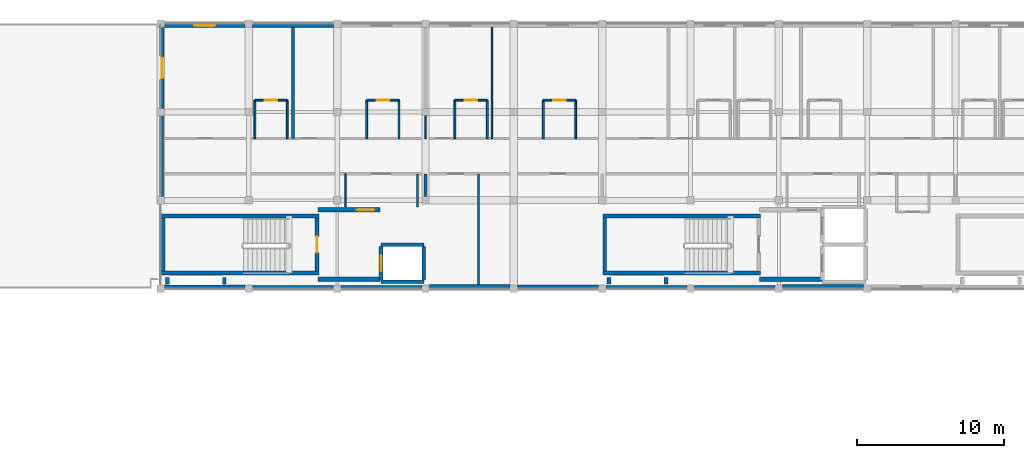
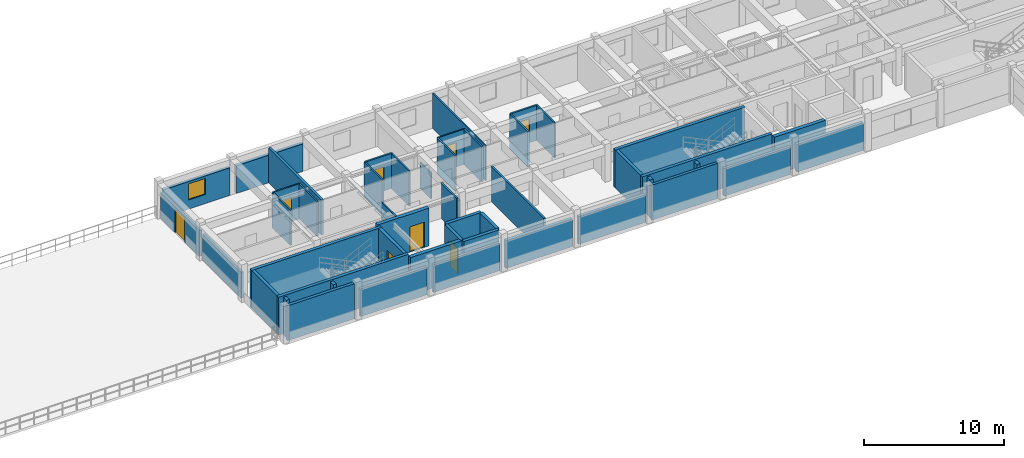
# One storey, part 7 of 15: 49 walls, 8 doors, 1 window, 9 openings.
"""IFC4 building model written with IfcOpenShell, lengths in metres."""

from ifc_helpers import new_model, si_unit, direction, frame, frame_2d, origin, place, context, subcontext, project, spatial, rectangle, extrude, material, layer, layer_set, type_object, element, fill, save


model = new_model("IFC4")

# Units and contexts
model_context = context("Model", 3, precision=1e-05, world=origin(), true_north=direction((0.0, 1.0)))
body_context = subcontext(model_context, "Body", "Model", "MODEL_VIEW")
ifc_project = project(units=[si_unit("LENGTHUNIT", "METRE"), si_unit("AREAUNIT", "SQUARE_METRE"), si_unit("VOLUMEUNIT", "CUBIC_METRE"), si_unit("PLANEANGLEUNIT", "RADIAN"), si_unit("MASSUNIT", "GRAM", prefix="KILO"), si_unit("THERMODYNAMICTEMPERATUREUNIT", "KELVIN"), si_unit("POWERUNIT", "WATT")], contexts=[model_context])

# Site, building, storey
site_placement = place(None, origin())
site = spatial("IfcSite", under=ifc_project, at=site_placement, CompositionType="ELEMENT")
building_placement = place(site_placement, origin())
building = spatial("IfcBuilding", under=site, at=building_placement, Name="Phaisarnlok Congress Hotel", CompositionType="ELEMENT")
storey_placement = place(building_placement, frame((0.0, 0.0, 38.10009765625)))
storey = spatial("IfcBuildingStorey", under=building, at=storey_placement, Name="L09", CompositionType="ELEMENT", Elevation=38.10009765625)

# Walls
ifc_material_1 = material(Name="Concrete C40/50", Category="concrete")
ifc_layer_1 = layer(ifc_material_1, 0.2099609375, Name="Concrete C40/50")
ifc_layer_set_1 = layer_set([ifc_layer_1], Name="Concrete C40/50")
wall_type_1 = type_object("IfcWallType", Name="WL-EXT-210", PredefinedType="SOLIDWALL", material=ifc_layer_set_1)
wall_1_placement = place(storey_placement, frame((102.10498046875, 119.7451171875, 0.0), z_axis=(0.0, 0.0, 1.0), x_axis=(0.0, -1.0, 0.0)))
element("IfcWall", 1, at=wall_1_placement, inside=storey, type_object=wall_type_1, Name="Exterior wall EW-07 (L09)", PredefinedType="SOLIDWALL", context=body_context, shape_type="SweptSolid", body=[
    extrude(rectangle(XDim=5.490234375, YDim=0.2099609375, at=frame_2d((2.7451171875, 0.0))), origin(), (0.0, 0.0, 1.0), 2.260009765625),
])
for number, where, z_axis, x_axis, name in (
    (2, (114.2548828125, 108.10498046875, 0.0), (0.0, 0.0, 1.0), (1.0, 0.0, 0.0), "Exterior wall EW-07 (L09)"),
    (3, (138.2548828125, 108.10498046875, 0.0), (0.0, 0.0, 1.0), (1.0, 0.0, 0.0), "Exterior wall EW-07 (L09)"),
):
    element("IfcWall", number, at=place(storey_placement, frame(where, z_axis=z_axis, x_axis=x_axis)), inside=storey, type_object=wall_type_1, Name=name, PredefinedType="SOLIDWALL", context=body_context, shape_type="SweptSolid", body=[
        extrude(rectangle(XDim=5.490234375, YDim=0.2099609375, at=frame_2d((2.7451171875, 0.0))), origin(), (0.0, 0.0, 1.0), 2.409912109375),
    ])

# Wall, opening, door
ifc_layer_2 = layer(ifc_material_1, 0.22998046875, Name="Concrete C40/50")
ifc_layer_set_2 = layer_set([ifc_layer_2], Name="Concrete C40/50")
wall_type_2 = type_object("IfcWallType", Name="WL-EXT-230", PredefinedType="SOLIDWALL", material=ifc_layer_set_2)
wall_2_placement = place(storey_placement, frame((102.114990234375, 125.7451171875, 0.0), z_axis=(0.0, 0.0, 1.0), x_axis=(0.0, -1.0, 0.0)))
wall_2 = element("IfcWall", 4, at=wall_2_placement, inside=storey, type_object=wall_type_2, Name="Exterior wall EW-06 (L09)", PredefinedType="SOLIDWALL", context=body_context, shape_type="SweptSolid", body=[
    extrude(rectangle(XDim=5.490234375, YDim=0.22998046875, at=frame_2d((2.7451171875, 0.0))), origin(), (0.0, 0.0, 1.0), 2.260009765625),
])
opening_1_placement = place(wall_2_placement, frame((2.044921875, 0.0, 0.0)))
opening_1 = element("IfcOpeningElement", 5, at=opening_1_placement, cuts=wall_2, Name="Opening TD-09", PredefinedType="OPENING", context=body_context, shape_type="SweptSolid", body=[
    extrude(rectangle(XDim=1.39990234375, YDim=2.10009765625, at=frame_2d((0.699951171875, 1.050048828125))), frame((0.0, 0.125, 0.0), z_axis=(0.0, -1.0, 0.0), x_axis=(1.0, 0.0, 0.0)), (0.0, 0.0, 1.0), 0.25),
])
ifc_material_2 = material(Name="Powder-Coated Steel & Laminated Safety Glass", Category="steel")
door_type_1 = type_object("IfcDoorType", Name="DR-TER-1400", OperationType="NOTDEFINED", PredefinedType="DOOR", material=ifc_material_2)
door_1_placement = place(opening_1_placement, frame((1.39990234375, 0.0, 0.0), z_axis=(0.0, 0.0, 1.0), x_axis=(-1.0, 0.0, 0.0)))
door_1 = element("IfcDoor", 6, at=door_1_placement, inside=storey, type_object=door_type_1, Name="Outdoor terrace door TD-09 (L09)", OperationType="SINGLE_SWING_RIGHT", OverallHeight=2.10009765625, OverallWidth=1.39990234375, PredefinedType="DOOR", context=body_context, shape_type="SweptSolid", body=[
    extrude(rectangle(XDim=1.39990234375, YDim=2.10009765625, at=frame_2d((0.699951171875, 1.050048828125))), frame((0.0, 0.02490234375, 0.0), z_axis=(0.0, -1.0, 0.0), x_axis=(1.0, 0.0, 0.0)), (0.0, 0.0, 1.0), 0.050048828125),
])
fill(opening_1, door_1)

# Walls
wall_3_placement = place(storey_placement, frame((108.2548828125, 108.114990234375, 0.0), z_axis=(0.0, 0.0, 1.0), x_axis=(1.0, 0.0, 0.0)))
element("IfcWall", 7, at=wall_3_placement, inside=storey, type_object=wall_type_2, Name="Exterior wall EW-06 (L09)", PredefinedType="SOLIDWALL", context=body_context, shape_type="SweptSolid", body=[
    extrude(rectangle(XDim=5.490234375, YDim=0.22998046875, at=frame_2d((2.7451171875, 0.0))), origin(), (0.0, 0.0, 1.0), 2.409912109375),
])
wall_4_placement = place(storey_placement, frame((132.2548828125, 108.114990234375, 0.0), z_axis=(0.0, 0.0, 1.0), x_axis=(1.0, 0.0, 0.0)))
element("IfcWall", 8, at=wall_4_placement, inside=storey, type_object=wall_type_2, Name="Exterior wall EW-06 (L09)", PredefinedType="SOLIDWALL", context=body_context, shape_type="SweptSolid", body=[
    extrude(rectangle(XDim=5.490234375, YDim=0.22998046875, at=frame_2d((2.7451171875, 0.0))), origin(), (0.0, 0.0, 1.0), 3.059814453125),
])

# Wall, opening, window
ifc_layer_3 = layer(ifc_material_1, 0.25, Name="Concrete C40/50")
ifc_layer_set_3 = layer_set([ifc_layer_3], Name="Concrete C40/50")
wall_type_3 = type_object("IfcWallType", Name="WL-EXT-250", PredefinedType="SOLIDWALL", material=ifc_layer_set_3)
wall_5_placement = place(storey_placement, frame((107.7451171875, 125.875, 0.0), z_axis=(0.0, 0.0, 1.0), x_axis=(-1.0, 0.0, 0.0)))
wall_5 = element("IfcWall", 9, at=wall_5_placement, inside=storey, type_object=wall_type_3, Name="Exterior wall EW-05 (L09)", PredefinedType="SOLIDWALL", context=body_context, shape_type="SweptSolid", body=[
    extrude(rectangle(XDim=5.490234375, YDim=0.25, at=frame_2d((2.7451171875, 0.0))), origin(), (0.0, 0.0, 1.0), 2.409912109375),
])
opening_2_placement = place(wall_5_placement, frame((2.044921875, 0.0, 0.800048828125)))
opening_2 = element("IfcOpeningElement", 10, at=opening_2_placement, cuts=wall_5, Name="Opening W-13", PredefinedType="OPENING", context=body_context, shape_type="SweptSolid", body=[
    extrude(rectangle(XDim=1.39990234375, YDim=1.39990234375, at=frame_2d((0.699951171875, 0.699951171875))), frame((0.0, 0.135009765625, 0.0), z_axis=(0.0, -1.0, 0.0), x_axis=(1.0, 0.0, 0.0)), (0.0, 0.0, 1.0), 0.27001953125),
])
ifc_material_3 = material(Name="Thermally Broken Aluminium & Low-E Double Glazing", Category="aluminium")
window_type = type_object("IfcWindowType", Name="WIN-POD-1400", PartitioningType="SINGLE_PANEL", PredefinedType="WINDOW", material=ifc_material_3)
window_placement = place(opening_2_placement, origin())
window = element("IfcWindow", 11, at=window_placement, inside=storey, type_object=window_type, Name="Guestroom window W-13 (L09)", OverallHeight=1.39990234375, OverallWidth=1.39990234375, PartitioningType="SINGLE_PANEL", PredefinedType="WINDOW", context=body_context, shape_type="SweptSolid", body=[
    extrude(rectangle(XDim=1.39990234375, YDim=1.39990234375, at=frame_2d((0.699951171875, 0.699951171875))), frame((0.0, 0.030029296875, 0.0), z_axis=(0.0, -1.0, 0.0), x_axis=(1.0, 0.0, 0.0)), (0.0, 0.0, 1.0), 0.06005859375),
])
fill(opening_2, window)

# Walls
wall_6_placement = place(storey_placement, frame((102.2548828125, 108.125, 0.0), z_axis=(0.0, 0.0, 1.0), x_axis=(1.0, 0.0, 0.0)))
element("IfcWall", 12, at=wall_6_placement, inside=storey, type_object=wall_type_3, Name="Exterior wall EW-05 (L09)", PredefinedType="SOLIDWALL", context=body_context, shape_type="SweptSolid", body=[
    extrude(rectangle(XDim=5.490234375, YDim=0.25, at=frame_2d((2.7451171875, 0.0))), origin(), (0.0, 0.0, 1.0), 3.059814453125),
])
wall_7_placement = place(storey_placement, frame((126.2548828125, 108.125, 0.0), z_axis=(0.0, 0.0, 1.0), x_axis=(1.0, 0.0, 0.0)))
element("IfcWall", 13, at=wall_7_placement, inside=storey, type_object=wall_type_3, Name="Exterior wall EW-05 (L09)", PredefinedType="SOLIDWALL", context=body_context, shape_type="SweptSolid", body=[
    extrude(rectangle(XDim=5.490234375, YDim=0.25, at=frame_2d((2.7451171875, 0.0))), origin(), (0.0, 0.0, 1.0), 2.409912109375),
])
ifc_layer_4 = layer(ifc_material_1, 0.27001953125, Name="Concrete C40/50")
ifc_layer_set_4 = layer_set([ifc_layer_4], Name="Concrete C40/50")
wall_type_4 = type_object("IfcWallType", Name="WL-EXT-270", PredefinedType="SOLIDWALL", material=ifc_layer_set_4)
for number, where, z_axis, x_axis, name in (
    (14, (113.7451171875, 125.864990234375, 0.0), (0.0, 0.0, 1.0), (-1.0, 0.0, 0.0), "Exterior wall EW-04 (L09)"),
    (15, (120.2548828125, 108.135009765625, 0.0), (0.0, 0.0, 1.0), (1.0, 0.0, 0.0), "Exterior wall EW-04 (L09)"),
    (16, (144.2548828125, 108.135009765625, 0.0), (0.0, 0.0, 1.0), (1.0, 0.0, 0.0), "Exterior wall EW-04 (L09)"),
):
    element("IfcWall", number, at=place(storey_placement, frame(where, z_axis=z_axis, x_axis=x_axis)), inside=storey, type_object=wall_type_4, Name=name, PredefinedType="SOLIDWALL", context=body_context, shape_type="SweptSolid", body=[
        extrude(rectangle(XDim=5.490234375, YDim=0.27001953125, at=frame_2d((2.7451171875, 0.0))), origin(), (0.0, 0.0, 1.0), 2.409912109375),
    ])
ifc_material_4 = material(Name="Service Riser Shaftwall Partition", Category="gypsum")
ifc_layer_5 = layer(ifc_material_4, 0.10498046875, Name="Service Riser Shaftwall Partition")
ifc_layer_set_5 = layer_set([ifc_layer_5], Name="Service Riser Shaftwall Partition")
wall_type_5 = type_object("IfcWallType", Name="WL-INT-105", PredefinedType="PARTITIONING", material=ifc_layer_set_5)
wall_8_placement = place(storey_placement, frame((114.550048828125, 113.56005859375, 0.0), z_axis=(0.0, 0.0, 1.0), x_axis=(0.0, 1.0, 0.0)))
element("IfcWall", 17, at=wall_8_placement, inside=storey, type_object=wall_type_5, Name="Interior partition wall IW-08 (L09)", PredefinedType="PARTITIONING", context=body_context, shape_type="SweptSolid", body=[
    extrude(rectangle(XDim=2.239990234375, YDim=0.10498046875, at=frame_2d((1.1201171875, 0.0))), origin(), (0.0, 0.0, 1.0), 3.059814453125),
])
wall_9_placement = place(storey_placement, frame((120.0, 118.199951171875, 0.0), z_axis=(0.0, 0.0, 1.0), x_axis=(0.0, 1.0, 0.0)))
element("IfcWall", 18, at=wall_9_placement, inside=storey, type_object=wall_type_5, Name="Interior partition wall IW-08 (L09)", PredefinedType="PARTITIONING", context=body_context, shape_type="SweptSolid", body=[
    extrude(rectangle(XDim=1.545166015625, YDim=0.10498046875, at=frame_2d((0.7724609375, 0.0))), origin(), (0.0, 0.0, 1.0), 2.260009765625),
])
wall_10_placement = place(storey_placement, frame((124.5, 118.199951171875, 0.0), z_axis=(0.0, 0.0, 1.0), x_axis=(0.0, 1.0, 0.0)))
element("IfcWall", 19, at=wall_10_placement, inside=storey, type_object=wall_type_5, Name="Interior partition wall IW-08 (L09)", PredefinedType="PARTITIONING", context=body_context, shape_type="SweptSolid", body=[
    extrude(rectangle(XDim=7.56494140625, YDim=0.10498046875, at=frame_2d((3.782470703125, 0.0))), origin(), (0.0, 0.0, 1.0), 3.059814453125),
])
ifc_material_5 = material(Name="Lightweight Metal-Stud Gypsum Partition", Category="gypsum")
ifc_layer_6 = layer(ifc_material_5, 0.1201171875, Name="Lightweight Metal-Stud Gypsum Partition")
ifc_layer_set_6 = layer_set([ifc_layer_6], Name="Lightweight Metal-Stud Gypsum Partition")
wall_type_6 = type_object("IfcWallType", Name="WL-INT-120", PredefinedType="PARTITIONING", material=ifc_layer_set_6)
for number, where, z_axis, x_axis, name in (
    (20, (110.60009765625, 118.199951171875, 0.0), (0.0, 0.0, 1.0), (0.0, 1.0, 0.0), "Interior partition wall IW-07 (L09)"),
    (21, (118.199951171875, 118.199951171875, 0.0), (0.0, 0.0, 1.0), (0.0, 1.0, 0.0), "Interior partition wall IW-07 (L09)"),
    (22, (130.199951171875, 118.199951171875, 0.0), (0.0, 0.0, 1.0), (0.0, 1.0, 0.0), "Interior partition wall IW-07 (L09)"),
):
    element("IfcWall", number, at=place(storey_placement, frame(where, z_axis=z_axis, x_axis=x_axis)), inside=storey, type_object=wall_type_6, Name=name, PredefinedType="PARTITIONING", context=body_context, shape_type="SweptSolid", body=[
        extrude(rectangle(XDim=2.60009765625, YDim=0.1201171875, at=frame_2d((1.300048828125, 0.0))), origin(), (0.0, 0.0, 1.0), 3.059814453125),
    ])

# Wall, opening, door
wall_11_placement = place(storey_placement, frame((108.39990234375, 120.800048828125, 0.0), z_axis=(0.0, 0.0, 1.0), x_axis=(1.0, 0.0, 0.0)))
wall_11 = element("IfcWall", 23, at=wall_11_placement, inside=storey, type_object=wall_type_6, Name="Interior partition wall IW-07 (L09)", PredefinedType="PARTITIONING", context=body_context, shape_type="SweptSolid", body=[
    extrude(rectangle(XDim=2.2001953125, YDim=0.1201171875, at=frame_2d((1.10009765625, 0.0))), origin(), (0.0, 0.0, 1.0), 3.059814453125),
])
opening_3_placement = place(wall_11_placement, frame((0.675048828125, 0.0, 0.0)))
opening_3 = element("IfcOpeningElement", 24, at=opening_3_placement, cuts=wall_11, Name="Opening D-0492", PredefinedType="OPENING", context=body_context, shape_type="SweptSolid", body=[
    extrude(rectangle(XDim=0.85009765625, YDim=2.10009765625, at=frame_2d((0.425048828125, 1.050048828125))), frame((0.0, 0.070068359375, 0.0), z_axis=(0.0, -1.0, 0.0), x_axis=(1.0, 0.0, 0.0)), (0.0, 0.0, 1.0), 0.14013671875),
])
ifc_material_6 = material(Name="Moisture-Resistant Lacquered Timber", Category="wood")
door_type_2 = type_object("IfcDoorType", Name="DR-BATH-850", OperationType="NOTDEFINED", PredefinedType="DOOR", material=ifc_material_6)
door_2_placement = place(opening_3_placement, origin())
door_2 = element("IfcDoor", 25, at=door_2_placement, inside=storey, type_object=door_type_2, Name="Interior door D-0492 (L09)", OperationType="SINGLE_SWING_LEFT", OverallHeight=2.10009765625, OverallWidth=0.85009765625, PredefinedType="DOOR", context=body_context, shape_type="SweptSolid", body=[
    extrude(rectangle(XDim=0.85009765625, YDim=2.10009765625, at=frame_2d((0.425048828125, 1.050048828125))), frame((0.0, 0.02490234375, 0.0), z_axis=(0.0, -1.0, 0.0), x_axis=(1.0, 0.0, 0.0)), (0.0, 0.0, 1.0), 0.050048828125),
])
fill(opening_3, door_2)

wall_12_placement = place(storey_placement, frame((122.0, 120.800048828125, 0.0), z_axis=(0.0, 0.0, 1.0), x_axis=(1.0, 0.0, 0.0)))
wall_12 = element("IfcWall", 26, at=wall_12_placement, inside=storey, type_object=wall_type_6, Name="Interior partition wall IW-07 (L09)", PredefinedType="PARTITIONING", context=body_context, shape_type="SweptSolid", body=[
    extrude(rectangle(XDim=2.199951171875, YDim=0.1201171875, at=frame_2d((1.10009765625, 0.0))), origin(), (0.0, 0.0, 1.0), 3.059814453125),
])
opening_4_placement = place(wall_12_placement, frame((0.675048828125, 0.0, 0.0)))
opening_4 = element("IfcOpeningElement", 27, at=opening_4_placement, cuts=wall_12, Name="Opening D-0496", PredefinedType="OPENING", context=body_context, shape_type="SweptSolid", body=[
    extrude(rectangle(XDim=0.85009765625, YDim=2.10009765625, at=frame_2d((0.425048828125, 1.050048828125))), frame((0.0, 0.070068359375, 0.0), z_axis=(0.0, -1.0, 0.0), x_axis=(1.0, 0.0, 0.0)), (0.0, 0.0, 1.0), 0.14013671875),
])
door_3_placement = place(opening_4_placement, origin())
door_3 = element("IfcDoor", 28, at=door_3_placement, inside=storey, type_object=door_type_2, Name="Interior door D-0496 (L09)", OperationType="SINGLE_SWING_LEFT", OverallHeight=2.10009765625, OverallWidth=0.85009765625, PredefinedType="DOOR", context=body_context, shape_type="SweptSolid", body=[
    extrude(rectangle(XDim=0.85009765625, YDim=2.10009765625, at=frame_2d((0.425048828125, 1.050048828125))), frame((0.0, 0.02490234375, 0.0), z_axis=(0.0, -1.0, 0.0), x_axis=(1.0, 0.0, 0.0)), (0.0, 0.0, 1.0), 0.050048828125),
])
fill(opening_4, door_3)

# Walls
ifc_material_7 = material(Name="Moisture-Resistant Gypsum Partition", Category="gypsum")
ifc_layer_7 = layer(ifc_material_7, 0.135009765625, Name="Moisture-Resistant Gypsum Partition")
ifc_layer_set_7 = layer_set([ifc_layer_7], Name="Moisture-Resistant Gypsum Partition")
wall_type_7 = type_object("IfcWallType", Name="WL-INT-135", PredefinedType="PARTITIONING", material=ifc_layer_set_7)
for number, where, z_axis, x_axis, name in (
    (29, (108.39990234375, 118.199951171875, 0.0), (0.0, 0.0, 1.0), (0.0, 1.0, 0.0), "Interior partition wall IW-06 (L09)"),
    (30, (116.0, 118.199951171875, 0.0), (0.0, 0.0, 1.0), (0.0, 1.0, 0.0), "Interior partition wall IW-06 (L09)"),
    (31, (122.0, 118.199951171875, 0.0), (0.0, 0.0, 1.0), (0.0, 1.0, 0.0), "Interior partition wall IW-06 (L09)"),
    (32, (124.199951171875, 118.199951171875, 0.0), (0.0, 0.0, 1.0), (0.0, 1.0, 0.0), "Interior partition wall IW-06 (L09)"),
    (33, (128.0, 118.199951171875, 0.0), (0.0, 0.0, 1.0), (0.0, 1.0, 0.0), "Interior partition wall IW-06 (L09)"),
):
    element("IfcWall", number, at=place(storey_placement, frame(where, z_axis=z_axis, x_axis=x_axis)), inside=storey, type_object=wall_type_7, Name=name, PredefinedType="PARTITIONING", context=body_context, shape_type="SweptSolid", body=[
        extrude(rectangle(XDim=2.60009765625, YDim=0.135009765625, at=frame_2d((1.300048828125, 0.0))), origin(), (0.0, 0.0, 1.0), 3.059814453125),
    ])

# Wall, opening, door
wall_13_placement = place(storey_placement, frame((116.0, 120.800048828125, 0.0), z_axis=(0.0, 0.0, 1.0), x_axis=(1.0, 0.0, 0.0)))
wall_13 = element("IfcWall", 34, at=wall_13_placement, inside=storey, type_object=wall_type_7, Name="Interior partition wall IW-06 (L09)", PredefinedType="PARTITIONING", context=body_context, shape_type="SweptSolid", body=[
    extrude(rectangle(XDim=2.199951171875, YDim=0.135009765625, at=frame_2d((1.10009765625, 0.0))), origin(), (0.0, 0.0, 1.0), 3.059814453125),
])
opening_5_placement = place(wall_13_placement, frame((0.675048828125, 0.0, 0.0)))
opening_5 = element("IfcOpeningElement", 35, at=opening_5_placement, cuts=wall_13, Name="Opening D-0494", PredefinedType="OPENING", context=body_context, shape_type="SweptSolid", body=[
    extrude(rectangle(XDim=0.85009765625, YDim=2.10009765625, at=frame_2d((0.425048828125, 1.050048828125))), frame((0.0, 0.07763671875, 0.0), z_axis=(0.0, -1.0, 0.0), x_axis=(1.0, 0.0, 0.0)), (0.0, 0.0, 1.0), 0.155029296875),
])
door_4_placement = place(opening_5_placement, origin())
door_4 = element("IfcDoor", 36, at=door_4_placement, inside=storey, type_object=door_type_2, Name="Interior door D-0494 (L09)", OperationType="SINGLE_SWING_LEFT", OverallHeight=2.10009765625, OverallWidth=0.85009765625, PredefinedType="DOOR", context=body_context, shape_type="SweptSolid", body=[
    extrude(rectangle(XDim=0.85009765625, YDim=2.10009765625, at=frame_2d((0.425048828125, 1.050048828125))), frame((0.0, 0.02490234375, 0.0), z_axis=(0.0, -1.0, 0.0), x_axis=(1.0, 0.0, 0.0)), (0.0, 0.0, 1.0), 0.050048828125),
])
fill(opening_5, door_4)

wall_14_placement = place(storey_placement, frame((128.0, 120.800048828125, 0.0), z_axis=(0.0, 0.0, 1.0), x_axis=(1.0, 0.0, 0.0)))
wall_14 = element("IfcWall", 37, at=wall_14_placement, inside=storey, type_object=wall_type_7, Name="Interior partition wall IW-06 (L09)", PredefinedType="PARTITIONING", context=body_context, shape_type="SweptSolid", body=[
    extrude(rectangle(XDim=2.199951171875, YDim=0.135009765625, at=frame_2d((1.10009765625, 0.0))), origin(), (0.0, 0.0, 1.0), 3.059814453125),
])
opening_6_placement = place(wall_14_placement, frame((0.675048828125, 0.0, 0.0)))
opening_6 = element("IfcOpeningElement", 38, at=opening_6_placement, cuts=wall_14, Name="Opening D-0498", PredefinedType="OPENING", context=body_context, shape_type="SweptSolid", body=[
    extrude(rectangle(XDim=0.85009765625, YDim=2.10009765625, at=frame_2d((0.425048828125, 1.050048828125))), frame((0.0, 0.07763671875, 0.0), z_axis=(0.0, -1.0, 0.0), x_axis=(1.0, 0.0, 0.0)), (0.0, 0.0, 1.0), 0.155029296875),
])
door_5_placement = place(opening_6_placement, origin())
door_5 = element("IfcDoor", 39, at=door_5_placement, inside=storey, type_object=door_type_2, Name="Interior door D-0498 (L09)", OperationType="SINGLE_SWING_LEFT", OverallHeight=2.10009765625, OverallWidth=0.85009765625, PredefinedType="DOOR", context=body_context, shape_type="SweptSolid", body=[
    extrude(rectangle(XDim=0.85009765625, YDim=2.10009765625, at=frame_2d((0.425048828125, 1.050048828125))), frame((0.0, 0.02490234375, 0.0), z_axis=(0.0, -1.0, 0.0), x_axis=(1.0, 0.0, 0.0)), (0.0, 0.0, 1.0), 0.050048828125),
])
fill(opening_6, door_5)

# Walls
ifc_material_8 = material(Name="Acoustic Gypsum Board & Mineral Wool", Category="gypsum")
ifc_layer_8 = layer(ifc_material_8, 0.14990234375, Name="Acoustic Gypsum Board & Mineral Wool")
ifc_layer_set_8 = layer_set([ifc_layer_8], Name="Acoustic Gypsum Board & Mineral Wool")
wall_type_8 = type_object("IfcWallType", Name="WL-INT-150", PredefinedType="PARTITIONING", material=ifc_layer_set_8)
wall_15_placement = place(storey_placement, frame((119.449951171875, 113.56005859375, 0.0), z_axis=(0.0, 0.0, 1.0), x_axis=(0.0, 1.0, 0.0)))
element("IfcWall", 40, at=wall_15_placement, inside=storey, type_object=wall_type_8, Name="Interior partition wall IW-05 (L09)", PredefinedType="PARTITIONING", context=body_context, shape_type="SweptSolid", body=[
    extrude(rectangle(XDim=2.239990234375, YDim=0.14990234375, at=frame_2d((1.1201171875, 0.0))), origin(), (0.0, 0.0, 1.0), 3.059814453125),
])
wall_16_placement = place(storey_placement, frame((123.60009765625, 108.27490234375, 0.0), z_axis=(0.0, 0.0, 1.0), x_axis=(0.0, 1.0, 0.0)))
element("IfcWall", 41, at=wall_16_placement, inside=storey, type_object=wall_type_8, Name="Interior partition wall IW-05 (L09)", PredefinedType="PARTITIONING", context=body_context, shape_type="SweptSolid", body=[
    extrude(rectangle(XDim=7.525146484375, YDim=0.14990234375, at=frame_2d((3.7626953125, 0.0))), origin(), (0.0, 0.0, 1.0), 3.059814453125),
])
ifc_material_9 = material(Name="Autoclaved Aerated Concrete Block", Category="concrete")
ifc_layer_9 = layer(ifc_material_9, 0.199951171875, Name="Autoclaved Aerated Concrete Block")
ifc_layer_set_9 = layer_set([ifc_layer_9], Name="Autoclaved Aerated Concrete Block")
wall_type_9 = type_object("IfcWallType", Name="WL-INT-200", PredefinedType="PARTITIONING", material=ifc_layer_set_9)
wall_17_placement = place(storey_placement, frame((111.0, 118.199951171875, 0.0), z_axis=(0.0, 0.0, 1.0), x_axis=(0.0, 1.0, 0.0)))
element("IfcWall", 42, at=wall_17_placement, inside=storey, type_object=wall_type_9, Name="Interior partition wall IW-02 (L09)", PredefinedType="PARTITIONING", context=body_context, shape_type="SweptSolid", body=[
    extrude(rectangle(XDim=7.525146484375, YDim=0.199951171875, at=frame_2d((3.7626953125, 0.0))), origin(), (0.0, 0.0, 1.0), 3.059814453125),
])
wall_18_placement = place(storey_placement, frame((120.0, 114.2548828125, 0.0), z_axis=(0.0, 0.0, 1.0), x_axis=(0.0, 1.0, 0.0)))
element("IfcWall", 43, at=wall_18_placement, inside=storey, type_object=wall_type_9, Name="Interior partition wall IW-02 (L09)", PredefinedType="PARTITIONING", context=body_context, shape_type="SweptSolid", body=[
    extrude(rectangle(XDim=1.545166015625, YDim=0.199951171875, at=frame_2d((0.7724609375, 0.0))), origin(), (0.0, 0.0, 1.0), 2.260009765625),
])
ifc_material_10 = material(Name="Concrete C50/60", Category="concrete")
ifc_layer_10 = layer(ifc_material_10, 0.260009765625, Name="Concrete C50/60")
ifc_layer_set_10 = layer_set([ifc_layer_10], Name="Concrete C50/60")
wall_type_10 = type_object("IfcWallType", Name="WL-SHR-260", PredefinedType="SHEAR", material=ifc_layer_set_10)
for number, where, z_axis, x_axis, name in (
    (44, (132.0400390625, 109.070068359375, 0.0), (0.0, 0.0, 1.0), (1.0, 0.0, 0.0), "Stair shaft shear wall SW-04 (CORE-2 L09)"),
    (45, (132.0400390625, 112.929931640625, 0.0), (0.0, 0.0, 1.0), (1.0, 0.0, 0.0), "Stair shaft shear wall SW-04 (CORE-2 L09)"),
):
    element("IfcWall", number, at=place(storey_placement, frame(where, z_axis=z_axis, x_axis=x_axis)), inside=storey, type_object=wall_type_10, Name=name, PredefinedType="SHEAR", context=body_context, shape_type="SweptSolid", body=[
        extrude(rectangle(XDim=10.719970703125, YDim=0.260009765625, at=frame_2d((5.35986328125, 0.0))), origin(), (0.0, 0.0, 1.0), 3.2998046875),
    ])
wall_19_placement = place(storey_placement, frame((132.169921875, 109.199951171875, 0.0), z_axis=(0.0, 0.0, 1.0), x_axis=(0.0, 1.0, 0.0)))
element("IfcWall", 46, at=wall_19_placement, inside=storey, type_object=wall_type_10, Name="Stair shaft shear wall SW-04 (CORE-2 L09)", PredefinedType="SHEAR", context=body_context, shape_type="SweptSolid", body=[
    extrude(rectangle(XDim=3.60009765625, YDim=0.260009765625, at=frame_2d((1.800048828125, 0.0))), origin(), (0.0, 0.0, 1.0), 3.2998046875),
])
for number, where, z_axis, x_axis, name in (
    (47, (132.469970703125, 108.330078125, 0.0), (0.0, 0.0, 1.0), (0.0, 1.0, 0.0), "Service riser shaft wall SW-04 (CORE-2 L09)"),
    (48, (136.330078125, 108.330078125, 0.0), (0.0, 0.0, 1.0), (0.0, 1.0, 0.0), "Service riser shaft wall SW-04 (CORE-2 L09)"),
):
    element("IfcWall", number, at=place(storey_placement, frame(where, z_axis=z_axis, x_axis=x_axis)), inside=storey, type_object=wall_type_10, Name=name, PredefinedType="SHEAR", context=body_context, shape_type="SweptSolid", body=[
        extrude(rectangle(XDim=0.43994140625, YDim=0.260009765625, at=frame_2d((0.219970703125, 0.0))), origin(), (0.0, 0.0, 1.0), 3.2998046875),
    ])
for number, where, z_axis, x_axis, name in (
    (49, (102.0400390625, 109.070068359375, 0.0), (0.0, 0.0, 1.0), (1.0, 0.0, 0.0), "Stair shaft shear wall SW-04 (CORE-4 L09)"),
    (50, (102.0400390625, 112.929931640625, 0.0), (0.0, 0.0, 1.0), (1.0, 0.0, 0.0), "Stair shaft shear wall SW-04 (CORE-4 L09)"),
):
    element("IfcWall", number, at=place(storey_placement, frame(where, z_axis=z_axis, x_axis=x_axis)), inside=storey, type_object=wall_type_10, Name=name, PredefinedType="SHEAR", context=body_context, shape_type="SweptSolid", body=[
        extrude(rectangle(XDim=10.719970703125, YDim=0.260009765625, at=frame_2d((5.35986328125, 0.0))), origin(), (0.0, 0.0, 1.0), 3.2998046875),
    ])

# Wall, opening, door
wall_20_placement = place(storey_placement, frame((112.6298828125, 109.199951171875, 0.0), z_axis=(0.0, 0.0, 1.0), x_axis=(0.0, 1.0, 0.0)))
wall_20 = element("IfcWall", 51, at=wall_20_placement, inside=storey, type_object=wall_type_10, Name="Stair shaft shear wall SW-04 (CORE-4 L09)", PredefinedType="SHEAR", context=body_context, shape_type="SweptSolid", body=[
    extrude(rectangle(XDim=3.60009765625, YDim=0.260009765625, at=frame_2d((1.800048828125, 0.0))), origin(), (0.0, 0.0, 1.0), 3.2998046875),
])
opening_7_placement = place(wall_20_placement, frame((1.25, 0.0, 0.0)))
opening_7 = element("IfcOpeningElement", 52, at=opening_7_placement, cuts=wall_20, Name="Opening FD-101", PredefinedType="OPENING", context=body_context, shape_type="SweptSolid", body=[
    extrude(rectangle(XDim=1.10009765625, YDim=2.14990234375, at=frame_2d((0.550048828125, 1.074951171875))), frame((0.0, 0.14013671875, 0.0), z_axis=(0.0, -1.0, 0.0), x_axis=(1.0, 0.0, 0.0)), (0.0, 0.0, 1.0), 0.280029296875),
])
ifc_material_11 = material(Name="Fire-Rated Steel Frame & Timber Leaf", Category="steel")
door_type_3 = type_object("IfcDoorType", Name="DR-FD60-1100", OperationType="NOTDEFINED", PredefinedType="DOOR", material=ifc_material_11)
door_6_placement = place(opening_7_placement, origin())
door_6 = element("IfcDoor", 53, at=door_6_placement, inside=storey, type_object=door_type_3, Name="Stair enclosure fire door FD-101 (L09)", OperationType="SINGLE_SWING_RIGHT", OverallHeight=2.14990234375, OverallWidth=1.10009765625, PredefinedType="DOOR", context=body_context, shape_type="SweptSolid", body=[
    extrude(rectangle(XDim=1.10009765625, YDim=2.14990234375, at=frame_2d((0.550048828125, 1.074951171875))), frame((0.0, 0.02490234375, 0.0), z_axis=(0.0, -1.0, 0.0), x_axis=(1.0, 0.0, 0.0)), (0.0, 0.0, 1.0), 0.050048828125),
])
fill(opening_7, door_6)

# Walls
for number, where, z_axis, x_axis, name in (
    (54, (116.969970703125, 108.469970703125, 0.0), (0.0, 0.0, 1.0), (1.0, 0.0, 0.0), "Lift shaft shear wall SW-04 (LF-HP4 L09)"),
    (55, (116.969970703125, 110.97998046875, 0.0), (0.0, 0.0, 1.0), (1.0, 0.0, 0.0), "Lift shaft shear wall SW-04 (LF-HP4 L09)"),
):
    element("IfcWall", number, at=place(storey_placement, frame(where, z_axis=z_axis, x_axis=x_axis)), inside=storey, type_object=wall_type_10, Name=name, PredefinedType="SHEAR", context=body_context, shape_type="SweptSolid", body=[
        extrude(rectangle(XDim=2.909912109375, YDim=0.260009765625, at=frame_2d((1.455078125, 0.0))), origin(), (0.0, 0.0, 1.0), 3.2998046875),
    ])
wall_21_placement = place(storey_placement, frame((119.8798828125, 108.60009765625, 0.0), z_axis=(0.0, 0.0, 1.0), x_axis=(0.0, 1.0, 0.0)))
element("IfcWall", 56, at=wall_21_placement, inside=storey, type_object=wall_type_10, Name="Lift shaft shear wall SW-04 (LF-HP4 L09)", PredefinedType="SHEAR", context=body_context, shape_type="SweptSolid", body=[
    extrude(rectangle(XDim=2.25, YDim=0.260009765625, at=frame_2d((1.125, 0.0))), origin(), (0.0, 0.0, 1.0), 3.2998046875),
])

# Wall, opening, door
wall_22_placement = place(storey_placement, frame((116.969970703125, 108.60009765625, 0.0), z_axis=(0.0, 0.0, 1.0), x_axis=(0.0, 1.0, 0.0)))
wall_22 = element("IfcWall", 57, at=wall_22_placement, inside=storey, type_object=wall_type_10, Name="Lift shaft front wall SW-04 (LF-HP4 L09)", PredefinedType="SHEAR", context=body_context, shape_type="SweptSolid", body=[
    extrude(rectangle(XDim=2.25, YDim=0.260009765625, at=frame_2d((1.125, 0.0))), origin(), (0.0, 0.0, 1.0), 3.2998046875),
])
opening_8_placement = place(wall_22_placement, frame((0.574951171875, 0.0, 0.0)))
opening_8 = element("IfcOpeningElement", 58, at=opening_8_placement, cuts=wall_22, Name="Opening LD-101", PredefinedType="OPENING", context=body_context, shape_type="SweptSolid", body=[
    extrude(rectangle(XDim=1.10009765625, YDim=2.199951171875, at=frame_2d((0.550048828125, 1.10009765625))), frame((0.0, 0.14013671875, 0.0), z_axis=(0.0, -1.0, 0.0), x_axis=(1.0, 0.0, 0.0)), (0.0, 0.0, 1.0), 0.280029296875),
])
ifc_material_12 = material(Name="Brushed Stainless Steel Grade 304", Category="steel")
door_type_4 = type_object("IfcDoorType", Name="DR-LD-1100", OperationType="DOUBLE_DOOR_SLIDING", PredefinedType="DOOR", material=ifc_material_12)
door_7_placement = place(opening_8_placement, origin())
door_7 = element("IfcDoor", 59, at=door_7_placement, inside=storey, type_object=door_type_4, Name="Lift landing sliding door LD-101 (LF-HP4 L09)", OperationType="DOUBLE_DOOR_SLIDING", OverallHeight=2.199951171875, OverallWidth=1.10009765625, PredefinedType="DOOR", context=body_context, shape_type="SweptSolid", body=[
    extrude(rectangle(XDim=1.10009765625, YDim=2.199951171875, at=frame_2d((0.550048828125, 1.10009765625))), frame((0.0, 0.02490234375, 0.0), z_axis=(0.0, -1.0, 0.0), x_axis=(1.0, 0.0, 0.0)), (0.0, 0.0, 1.0), 0.050048828125),
])
fill(opening_8, door_7)

# Walls
for number, where, z_axis, x_axis, name in (
    (60, (102.469970703125, 108.330078125, 0.0), (0.0, 0.0, 1.0), (0.0, 1.0, 0.0), "Service riser shaft wall SW-04 (CORE-4 L09)"),
    (61, (106.330078125, 108.330078125, 0.0), (0.0, 0.0, 1.0), (0.0, 1.0, 0.0), "Service riser shaft wall SW-04 (CORE-4 L09)"),
):
    element("IfcWall", number, at=place(storey_placement, frame(where, z_axis=z_axis, x_axis=x_axis)), inside=storey, type_object=wall_type_10, Name=name, PredefinedType="SHEAR", context=body_context, shape_type="SweptSolid", body=[
        extrude(rectangle(XDim=0.43994140625, YDim=0.260009765625, at=frame_2d((0.219970703125, 0.0))), origin(), (0.0, 0.0, 1.0), 3.2998046875),
    ])
ifc_layer_11 = layer(ifc_material_10, 0.260009765625, Name="Concrete C50/60")
ifc_layer_set_11 = layer_set([ifc_layer_11], Name="Concrete C50/60")
wall_type_11 = type_object("IfcWallType", Name="WL-SHR-260-EXT", PredefinedType="SHEAR", material=ifc_layer_set_11)
wall_23_placement = place(storey_placement, frame((102.169921875, 109.199951171875, 0.0), z_axis=(0.0, 0.0, 1.0), x_axis=(0.0, 1.0, 0.0)))
element("IfcWall", 62, at=wall_23_placement, inside=storey, type_object=wall_type_11, Name="Stair shaft shear wall SW-04E (CORE-4 L09)", PredefinedType="SHEAR", context=body_context, shape_type="SweptSolid", body=[
    extrude(rectangle(XDim=3.60009765625, YDim=0.260009765625, at=frame_2d((1.800048828125, 0.0))), origin(), (0.0, 0.0, 1.0), 3.2998046875),
])
ifc_layer_12 = layer(ifc_material_10, 0.300048828125, Name="Concrete C50/60")
ifc_layer_set_12 = layer_set([ifc_layer_12], Name="Concrete C50/60")
wall_type_12 = type_object("IfcWallType", Name="WL-SHR-300", PredefinedType="SHEAR", material=ifc_layer_set_12)
wall_24_placement = place(storey_placement, frame((142.679931640625, 108.64990234375, 0.0), z_axis=(0.0, 0.0, 1.0), x_axis=(1.0, 0.0, 0.0)))
element("IfcWall", 63, at=wall_24_placement, inside=storey, type_object=wall_type_12, Name="Core lobby EI-120 wall SW-03 (CORE-2 L09)", PredefinedType="SHEAR", context=body_context, shape_type="SweptSolid", body=[
    extrude(rectangle(XDim=4.239990234375, YDim=0.300048828125, at=frame_2d((2.1201171875, 0.0))), origin(), (0.0, 0.0, 1.0), 3.2998046875),
])

# Wall, opening, door
wall_25_placement = place(storey_placement, frame((112.679931640625, 113.35009765625, 0.0), z_axis=(0.0, 0.0, 1.0), x_axis=(1.0, 0.0, 0.0)))
wall_25 = element("IfcWall", 64, at=wall_25_placement, inside=storey, type_object=wall_type_12, Name="Core lobby EI-120 wall SW-03 (CORE-4 L09)", PredefinedType="SHEAR", context=body_context, shape_type="SweptSolid", body=[
    extrude(rectangle(XDim=4.239990234375, YDim=0.300048828125, at=frame_2d((2.1201171875, 0.0))), origin(), (0.0, 0.0, 1.0), 3.2998046875),
])
opening_9_placement = place(wall_25_placement, frame((2.64990234375, 0.0, 0.0)))
opening_9 = element("IfcOpeningElement", 65, at=opening_9_placement, cuts=wall_25, Name="Opening FD-116", PredefinedType="OPENING", context=body_context, shape_type="SweptSolid", body=[
    extrude(rectangle(XDim=1.199951171875, YDim=2.199951171875, at=frame_2d((0.60009765625, 1.10009765625))), frame((0.0, 0.16015625, 0.0), z_axis=(0.0, -1.0, 0.0), x_axis=(1.0, 0.0, 0.0)), (0.0, 0.0, 1.0), 0.320068359375),
])
door_type_5 = type_object("IfcDoorType", Name="DR-FD60-1200", OperationType="NOTDEFINED", PredefinedType="DOOR", material=ifc_material_11)
door_8_placement = place(opening_9_placement, origin())
door_8 = element("IfcDoor", 66, at=door_8_placement, inside=storey, type_object=door_type_5, Name="Firefighting lobby entrance door FD-116 (CORE-4 L09)", OperationType="SINGLE_SWING_LEFT", OverallHeight=2.199951171875, OverallWidth=1.199951171875, PredefinedType="DOOR", context=body_context, shape_type="SweptSolid", body=[
    extrude(rectangle(XDim=1.199951171875, YDim=2.199951171875, at=frame_2d((0.60009765625, 1.10009765625))), frame((0.0, 0.02490234375, 0.0), z_axis=(0.0, -1.0, 0.0), x_axis=(1.0, 0.0, 0.0)), (0.0, 0.0, 1.0), 0.050048828125),
])
fill(opening_9, door_8)

# Wall
wall_26_placement = place(storey_placement, frame((112.679931640625, 108.64990234375, 0.0), z_axis=(0.0, 0.0, 1.0), x_axis=(1.0, 0.0, 0.0)))
element("IfcWall", 67, at=wall_26_placement, inside=storey, type_object=wall_type_12, Name="Core lobby EI-120 wall SW-03 (CORE-4 L09)", PredefinedType="SHEAR", context=body_context, shape_type="SweptSolid", body=[
    extrude(rectangle(XDim=4.239990234375, YDim=0.300048828125, at=frame_2d((2.1201171875, 0.0))), origin(), (0.0, 0.0, 1.0), 3.2998046875),
])

save(model, "model.ifc")
